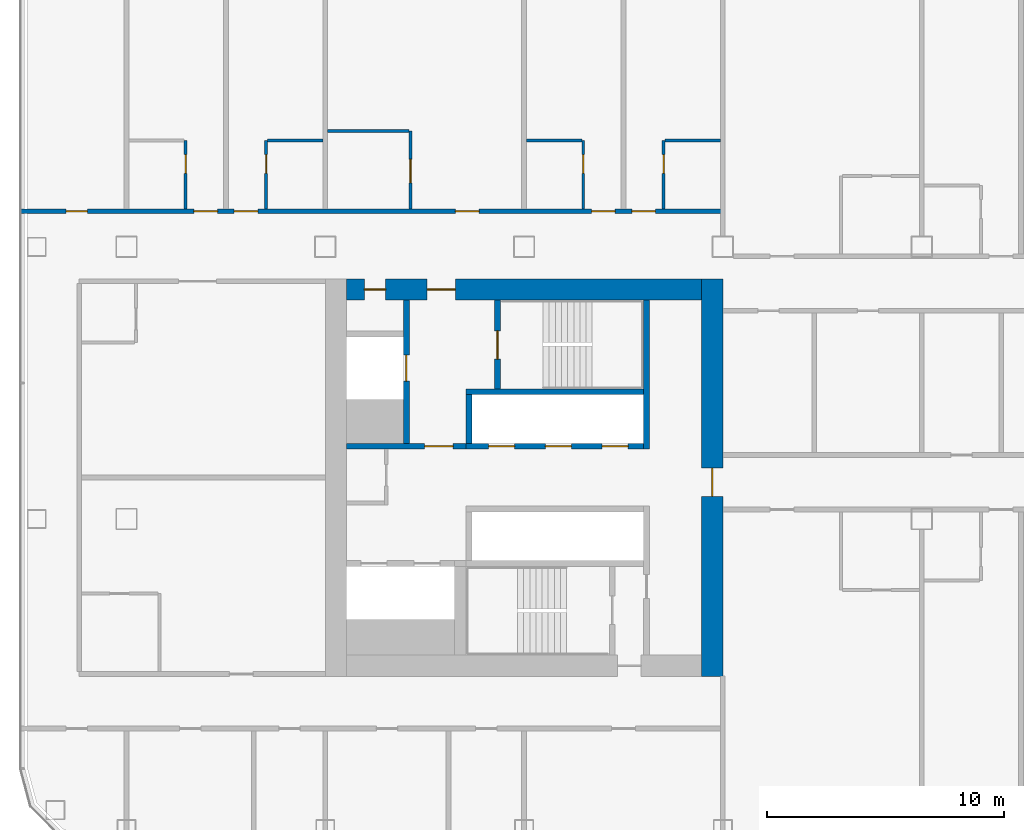
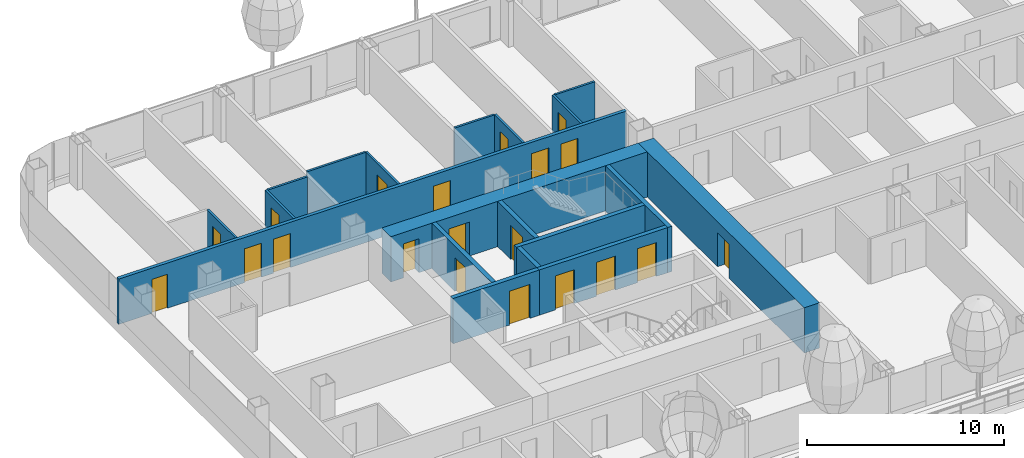
# One storey, part 12 of 33: 20 doors, 19 walls, 20 openings.
"""IFC4 building model written with IfcOpenShell, lengths in metres."""

import ifcopenshell
import ifcopenshell.guid

model = None  # the IFC model being written
_history = None  # IfcOwnerHistory: only IFC2X3 demands one
_inside = {}  # id of a spatial element -> (the spatial element, [elements in it])
_under = {}  # id of a project, library or spatial element -> (it, [spatial elements below it])
_declared = {}  # id of a project -> (the project, [libraries it declares])
_typed = {}  # id of a type object -> (the type object, [elements of that type])
_made_of = {}  # id of a material, layer set ... -> (it, [elements and type objects made of it])


def new_model(schema):
    """Start an empty IFC model of exactly this schema.

    Asked for "IFC4X3", IfcOpenShell would pick the latest addendum, in which some entities
    have other attributes; the version numbers below select the first issue.
    IFC2X3 requires an IfcOwnerHistory on every rooted entity: one is made here for all.
    """
    global model, _history
    if schema == "IFC4X3":
        model = ifcopenshell.file(schema_version=(4, 3, 0, 0))
    else:
        model = ifcopenshell.file(schema=schema)
    _inside.clear()
    _under.clear()
    _declared.clear()
    _typed.clear()
    _made_of.clear()
    _history = None
    if model.schema == "IFC2X3":
        org = make("IfcOrganization", Name="unknown")
        user = make(
            "IfcPersonAndOrganization",
            ThePerson=make("IfcPerson", FamilyName="unknown"),
            TheOrganization=org,
        )
        app = make(
            "IfcApplication",
            ApplicationDeveloper=org,
            Version="unknown",
            ApplicationFullName="unknown",
            ApplicationIdentifier="unknown",
        )
        _history = make(
            "IfcOwnerHistory",
            OwningUser=user,
            OwningApplication=app,
            ChangeAction="ADDED",
            CreationDate=0,
        )
    return model


def make(cls, **values):
    """One entity of the class cls with the attributes given. An attribute that is None is left unset."""
    return model.create_entity(
        cls, **{name: value for name, value in values.items() if value is not None}
    )


def rooted(cls, **values):
    """An entity with a GlobalId (a new one), such as an element, a storey or a relation."""
    return make(cls, GlobalId=ifcopenshell.guid.new(), OwnerHistory=_history, **values)


def si_unit(unit_type, name, prefix=None):
    """IfcSIUnit, for example si_unit("LENGTHUNIT", "METRE", prefix="MILLI")."""
    return make("IfcSIUnit", UnitType=unit_type, Prefix=prefix, Name=name)


def assignment(units):
    """IfcUnitAssignment: the units of a project."""
    return None if units is None else make("IfcUnitAssignment", Units=units)


def point(xyz):
    """IfcCartesianPoint."""
    return None if xyz is None else make("IfcCartesianPoint", Coordinates=xyz)


def direction(xyz):
    """IfcDirection."""
    return None if xyz is None else make("IfcDirection", DirectionRatios=xyz)


def frame(location, z_axis=None, x_axis=None):
    """IfcAxis2Placement3D, a coordinate frame: its origin and axes. An axis left out is left unset."""
    return make(
        "IfcAxis2Placement3D",
        Location=point(location),
        Axis=direction(z_axis),
        RefDirection=direction(x_axis),
    )


def frame_2d(location, x_axis=None):
    """IfcAxis2Placement2D, a coordinate frame in the plane: its origin and x axis."""
    return make(
        "IfcAxis2Placement2D", Location=point(location), RefDirection=direction(x_axis)
    )


def origin():
    """The frame at (0, 0, 0) with its axes left unset."""
    return frame((0.0, 0.0, 0.0))


def place(relative_to, where):
    """IfcLocalPlacement: puts the frame where relative to a parent placement (None: the world)."""
    return make(
        "IfcLocalPlacement", PlacementRelTo=relative_to, RelativePlacement=where
    )


def context(
    kind, dimensions, precision=None, world=None, true_north=None, identifier=None
):
    """IfcGeometricRepresentationContext, for example the 3D "Model" context."""
    return make(
        "IfcGeometricRepresentationContext",
        ContextIdentifier=identifier,
        ContextType=kind,
        CoordinateSpaceDimension=dimensions,
        Precision=precision,
        WorldCoordinateSystem=world,
        TrueNorth=true_north,
    )


def subcontext(parent, identifier, kind, view, scale=None):
    """IfcGeometricRepresentationSubContext, for example "Body" below "Model"."""
    return make(
        "IfcGeometricRepresentationSubContext",
        ContextIdentifier=identifier,
        ContextType=kind,
        ParentContext=parent,
        TargetScale=scale,
        TargetView=view,
    )


def project(units=None, contexts=None):
    """IfcProject with its units and contexts."""
    return rooted(
        "IfcProject",
        Name="project",
        RepresentationContexts=contexts,
        UnitsInContext=assignment(units),
    )


def spatial(cls, under=None, at=None, **own):
    """A site, building, storey or space (cls), placed at a placement, below another one or the project."""
    s = rooted(cls, ObjectPlacement=at, **own)
    if under is not None:
        _under.setdefault(under.id(), (under, []))[1].append(s)
    return s


def profile(cls, at=None, kind="AREA", **sizes):
    """A parametric profile (cls). Its sizes go by their IFC names, for example OverallWidth=200.0."""
    return make(cls, ProfileType=kind, Position=at, **sizes)


def rectangle(**sizes):
    """IfcRectangleProfileDef."""
    return profile("IfcRectangleProfileDef", **sizes)


def extrude(swept, where, along, depth):
    """IfcExtrudedAreaSolid: the profile swept, set in the frame where, extruded along a direction by depth."""
    return make(
        "IfcExtrudedAreaSolid",
        SweptArea=swept,
        Position=where,
        ExtrudedDirection=direction(along),
        Depth=depth,
    )


def shape(context_of_items, identifier, shape_type, items):
    """IfcShapeRepresentation: the items that make up one representation, for example the "Body"."""
    return make(
        "IfcShapeRepresentation",
        ContextOfItems=context_of_items,
        RepresentationIdentifier=identifier,
        RepresentationType=shape_type,
        Items=items,
    )


def material(Name=None, Category=None):
    """IfcMaterial."""
    return make("IfcMaterial", Name=Name, Category=Category)


def layer(
    of_material, thickness, ventilated=None, Name=None, Category=None, Priority=None
):
    """IfcMaterialLayer: one layer of a wall or slab, of a material (None: an air gap)."""
    return make(
        "IfcMaterialLayer",
        Material=of_material,
        LayerThickness=thickness,
        IsVentilated=ventilated,
        Name=Name,
        Category=Category,
        Priority=Priority,
    )


def layer_set(layers, Name=None):
    """IfcMaterialLayerSet."""
    return make("IfcMaterialLayerSet", MaterialLayers=layers, LayerSetName=Name)


def made_of(thing, what):
    """Note that an element or type object is made of a material, layer set ...; save() writes the relation."""
    if what is not None:
        _made_of.setdefault(what.id(), (what, []))[1].append(thing)
    return thing


def type_object(cls, material=None, **own):
    """A type object (cls), such as IfcWallType, which elements share."""
    return made_of(rooted(cls, **own), material)


def element(
    cls,
    number,
    at=None,
    inside=None,
    cuts=None,
    type_object=None,
    material=None,
    context=None,
    identifier="Body",
    shape_type=None,
    held_by="IfcProductDefinitionShape",
    body=None,
    shapes=None,
    **own,
):
    """One element of the class cls, such as IfcWall. Its Tag is "e" and its number.

    at: its placement. inside: the storey or other place that contains it. cuts: it is an
    opening in that element (IfcRelVoidsElement). A single representation is given by context,
    identifier, shape_type and body (its items); several are given by shapes. held_by: the class
    of the entity that holds the representations. save() writes the other relations.
    """
    e = rooted(cls, Tag="e%d" % number, ObjectPlacement=at, **own)
    if body is not None:
        shapes = [shape(context, identifier, shape_type, body)]
    if shapes is not None:
        e.Representation = make(held_by, Representations=shapes)
    if inside is not None:
        _inside.setdefault(inside.id(), (inside, []))[1].append(e)
    if cuts is not None:
        rooted(
            "IfcRelVoidsElement", RelatingBuildingElement=cuts, RelatedOpeningElement=e
        )
    if type_object is not None:
        _typed.setdefault(type_object.id(), (type_object, []))[1].append(e)
    return made_of(e, material)


def fill(opening, filler):
    """IfcRelFillsElement: the door or window that sits in an opening."""
    return rooted(
        "IfcRelFillsElement",
        RelatingOpeningElement=opening,
        RelatedBuildingElement=filler,
    )


def aggregate(whole, parts):
    """IfcRelAggregates: a whole, such as a stair, and the parts it consists of."""
    return rooted("IfcRelAggregates", RelatingObject=whole, RelatedObjects=parts)


def save(model, path):
    """Write the relations noted so far, then the file.

    IfcRelAggregates (storeys below a building ...), IfcRelContainedInSpatialStructure (elements
    in a storey), IfcRelDefinesByType, IfcRelAssociatesMaterial and IfcRelDeclares: one each for
    every whole, place, type object, material and project.
    """
    for whole, parts in _under.values():
        aggregate(whole, parts)
    for where, things in _inside.values():
        rooted(
            "IfcRelContainedInSpatialStructure",
            RelatedElements=things,
            RelatingStructure=where,
        )
    for kind, things in _typed.values():
        rooted("IfcRelDefinesByType", RelatedObjects=things, RelatingType=kind)
    for what, things in _made_of.values():
        rooted("IfcRelAssociatesMaterial", RelatedObjects=things, RelatingMaterial=what)
    for by, libraries in _declared.values():
        rooted("IfcRelDeclares", RelatingContext=by, RelatedDefinitions=libraries)
    model.write(path)


model = new_model("IFC4")

# Units and contexts
model_context = context("Model", 3, precision=1e-05, world=origin(), true_north=direction((0.0, 1.0)))
body_context = subcontext(model_context, "Body", "Model", "MODEL_VIEW")
ifc_project = project(units=[si_unit("LENGTHUNIT", "METRE"), si_unit("AREAUNIT", "SQUARE_METRE"), si_unit("VOLUMEUNIT", "CUBIC_METRE"), si_unit("PLANEANGLEUNIT", "RADIAN"), si_unit("MASSUNIT", "GRAM", prefix="KILO")], contexts=[model_context])

# Site, building, storey
site_placement = place(None, origin())
site = spatial("IfcSite", under=ifc_project, at=site_placement, CompositionType="ELEMENT")
building_placement = place(site_placement, origin())
building = spatial("IfcBuilding", under=site, at=building_placement, Name="Hakoniwa Tower and Hamabe Station Hall", CompositionType="ELEMENT")
storey_placement = place(building_placement, frame((0.0, 0.0, 81.800048828125)))
storey = spatial("IfcBuildingStorey", under=building, at=storey_placement, Name="L22", CompositionType="ELEMENT", Elevation=81.800048828125)

# Walls
ifc_material_1 = material(Name="Gypsum board partition", Category="gypsum")
ifc_layer_1 = layer(ifc_material_1, 0.125)
ifc_layer_set_1 = layer_set([ifc_layer_1], Name="Bathroom Partition 125")
wall_type_1 = type_object("IfcWallType", Name="Bathroom Partition 125", PredefinedType="PARTITIONING", material=ifc_layer_set_1)
for number, where, z_axis, x_axis, name in (
    (1, (-36.03759765625, 14.25, 0.0), (0.0, 0.0, 1.0), (1.0, 0.0, 0.0), "GW-L22-028"),
    (2, (-25.10009765625, 14.25, 0.0), (0.0, 0.0, 1.0), (1.0, 0.0, 0.0), "GW-L22-029"),
    (3, (-19.237548828125, 14.25, 0.0), (0.0, 0.0, 1.0), (1.0, 0.0, 0.0), "GW-L22-030"),
):
    element("IfcWall", number, at=place(storey_placement, frame(where, z_axis=z_axis, x_axis=x_axis)), inside=storey, type_object=wall_type_1, Name=name, PredefinedType="PARTITIONING", context=body_context, shape_type="SweptSolid", body=[
        extrude(rectangle(XDim=2.337646484375, YDim=0.125, at=frame_2d((1.1689453125, 0.0))), origin(), (0.0, 0.0, 1.0), 2.800048828125),
    ])
wall_1_placement = place(storey_placement, frame((-33.5, 14.64990234375, 0.0), z_axis=(0.0, 0.0, 1.0), x_axis=(1.0, 0.0, 0.0)))
element("IfcWall", 4, at=wall_1_placement, inside=storey, type_object=wall_type_1, Name="GW-L22-033", PredefinedType="PARTITIONING", context=body_context, shape_type="SweptSolid", body=[
    extrude(rectangle(XDim=3.4375, YDim=0.125, at=frame_2d((1.71875, 0.0))), origin(), (0.0, 0.0, 1.0), 2.800048828125),
])

# Wall, opening, door
wall_2_placement = place(storey_placement, frame((-39.5, 11.35009765625, 0.0), z_axis=(0.0, 0.0, 1.0), x_axis=(0.0, 1.0, 0.0)))
wall_2 = element("IfcWall", 5, at=wall_2_placement, inside=storey, type_object=wall_type_1, Name="GW-L22-041", PredefinedType="PARTITIONING", context=body_context, shape_type="SweptSolid", body=[
    extrude(rectangle(XDim=2.89990234375, YDim=0.125, at=frame_2d((1.449951171875, 0.0))), origin(), (0.0, 0.0, 1.0), 2.800048828125),
])
opening_1_placement = place(wall_2_placement, frame((1.5, 0.0, 0.0)))
opening_1 = element("IfcOpeningElement", 6, at=opening_1_placement, cuts=wall_2, Name="Opening GD-G2C0-56", PredefinedType="OPENING", context=body_context, shape_type="SweptSolid", body=[
    extrude(rectangle(XDim=0.800048828125, YDim=2.10009765625, at=frame_2d((0.39990234375, 1.050048828125))), frame((0.0, 0.072509765625, 0.0), z_axis=(0.0, -1.0, 0.0), x_axis=(1.0, 0.0, 0.0)), (0.0, 0.0, 1.0), 0.14501953125),
])
ifc_material_2 = material(Name="Timber door leaf", Category="wood")
door_type_1 = type_object("IfcDoorType", Name="Bathroom Door 800", OperationType="SINGLE_SWING_LEFT", PredefinedType="DOOR", material=ifc_material_2)
door_1_placement = place(opening_1_placement, origin())
door_1 = element("IfcDoor", 7, at=door_1_placement, inside=storey, type_object=door_type_1, Name="Door GD-G2C0-56", OperationType="SINGLE_SWING_LEFT", OverallHeight=2.10009765625, OverallWidth=0.800048828125, PredefinedType="DOOR", context=body_context, shape_type="SweptSolid", body=[
    extrude(rectangle(XDim=0.800048828125, YDim=2.10009765625, at=frame_2d((0.39990234375, 1.050048828125))), frame((0.0, 0.02490234375, 0.0), z_axis=(0.0, -1.0, 0.0), x_axis=(1.0, 0.0, 0.0)), (0.0, 0.0, 1.0), 0.050048828125),
])
fill(opening_1, door_1)

wall_3_placement = place(storey_placement, frame((-36.10009765625, 11.35009765625, 0.0), z_axis=(0.0, 0.0, 1.0), x_axis=(0.0, 1.0, 0.0)))
wall_3 = element("IfcWall", 8, at=wall_3_placement, inside=storey, type_object=wall_type_1, Name="GW-L22-044", PredefinedType="PARTITIONING", context=body_context, shape_type="SweptSolid", body=[
    extrude(rectangle(XDim=2.89990234375, YDim=0.125, at=frame_2d((1.449951171875, 0.0))), origin(), (0.0, 0.0, 1.0), 2.800048828125),
])
opening_2_placement = place(wall_3_placement, frame((1.5, 0.0, 0.0)))
opening_2 = element("IfcOpeningElement", 9, at=opening_2_placement, cuts=wall_3, Name="Opening GD-G2C0-57", PredefinedType="OPENING", context=body_context, shape_type="SweptSolid", body=[
    extrude(rectangle(XDim=0.800048828125, YDim=2.10009765625, at=frame_2d((0.39990234375, 1.050048828125))), frame((0.0, 0.072509765625, 0.0), z_axis=(0.0, -1.0, 0.0), x_axis=(1.0, 0.0, 0.0)), (0.0, 0.0, 1.0), 0.14501953125),
])
door_2_placement = place(opening_2_placement, origin())
door_2 = element("IfcDoor", 10, at=door_2_placement, inside=storey, type_object=door_type_1, Name="Door GD-G2C0-57", OperationType="SINGLE_SWING_RIGHT", OverallHeight=2.10009765625, OverallWidth=0.800048828125, PredefinedType="DOOR", context=body_context, shape_type="SweptSolid", body=[
    extrude(rectangle(XDim=0.800048828125, YDim=2.10009765625, at=frame_2d((0.39990234375, 1.050048828125))), frame((0.0, 0.02490234375, 0.0), z_axis=(0.0, -1.0, 0.0), x_axis=(1.0, 0.0, 0.0)), (0.0, 0.0, 1.0), 0.050048828125),
])
fill(opening_2, door_2)

wall_4_placement = place(storey_placement, frame((-30.0, 11.35009765625, 0.0), z_axis=(0.0, 0.0, 1.0), x_axis=(0.0, 1.0, 0.0)))
wall_4 = element("IfcWall", 11, at=wall_4_placement, inside=storey, type_object=wall_type_1, Name="GW-L22-047", PredefinedType="PARTITIONING", context=body_context, shape_type="SweptSolid", body=[
    extrude(rectangle(XDim=3.2998046875, YDim=0.125, at=frame_2d((1.64990234375, 0.0))), origin(), (0.0, 0.0, 1.0), 2.800048828125),
])
opening_3_placement = place(wall_4_placement, frame((1.10009765625, 0.0, 0.0)))
opening_3 = element("IfcOpeningElement", 12, at=opening_3_placement, cuts=wall_4, Name="Opening GD-G2C0-58", PredefinedType="OPENING", context=body_context, shape_type="SweptSolid", body=[
    extrude(rectangle(XDim=1.0, YDim=2.10009765625, at=frame_2d((0.5, 1.050048828125))), frame((0.0, 0.072509765625, 0.0), z_axis=(0.0, -1.0, 0.0), x_axis=(1.0, 0.0, 0.0)), (0.0, 0.0, 1.0), 0.14501953125),
])
ifc_material_3 = material(Name="Timber door leaf", Category="wood")
door_type_2 = type_object("IfcDoorType", Name="Accessible Bathroom Door 1000", OperationType="SINGLE_SWING_LEFT", PredefinedType="DOOR", material=ifc_material_3)
door_3_placement = place(opening_3_placement, origin())
door_3 = element("IfcDoor", 13, at=door_3_placement, inside=storey, type_object=door_type_2, Name="Door GD-G2C0-58", OperationType="SINGLE_SWING_LEFT", OverallHeight=2.10009765625, OverallWidth=1.0, PredefinedType="DOOR", context=body_context, shape_type="SweptSolid", body=[
    extrude(rectangle(XDim=1.0, YDim=2.10009765625, at=frame_2d((0.5, 1.050048828125))), frame((0.0, 0.02490234375, 0.0), z_axis=(0.0, -1.0, 0.0), x_axis=(1.0, 0.0, 0.0)), (0.0, 0.0, 1.0), 0.050048828125),
])
fill(opening_3, door_3)

wall_5_placement = place(storey_placement, frame((-22.699951171875, 11.35009765625, 0.0), z_axis=(0.0, 0.0, 1.0), x_axis=(0.0, 1.0, 0.0)))
wall_5 = element("IfcWall", 14, at=wall_5_placement, inside=storey, type_object=wall_type_1, Name="GW-L22-051", PredefinedType="PARTITIONING", context=body_context, shape_type="SweptSolid", body=[
    extrude(rectangle(XDim=2.89990234375, YDim=0.125, at=frame_2d((1.449951171875, 0.0))), origin(), (0.0, 0.0, 1.0), 2.800048828125),
])
opening_4_placement = place(wall_5_placement, frame((1.5, 0.0, 0.0)))
opening_4 = element("IfcOpeningElement", 15, at=opening_4_placement, cuts=wall_5, Name="Opening GD-G2C0-59", PredefinedType="OPENING", context=body_context, shape_type="SweptSolid", body=[
    extrude(rectangle(XDim=0.800048828125, YDim=2.10009765625, at=frame_2d((0.39990234375, 1.050048828125))), frame((0.0, 0.072509765625, 0.0), z_axis=(0.0, -1.0, 0.0), x_axis=(1.0, 0.0, 0.0)), (0.0, 0.0, 1.0), 0.14501953125),
])
door_4_placement = place(opening_4_placement, origin())
door_4 = element("IfcDoor", 16, at=door_4_placement, inside=storey, type_object=door_type_1, Name="Door GD-G2C0-59", OperationType="SINGLE_SWING_LEFT", OverallHeight=2.10009765625, OverallWidth=0.800048828125, PredefinedType="DOOR", context=body_context, shape_type="SweptSolid", body=[
    extrude(rectangle(XDim=0.800048828125, YDim=2.10009765625, at=frame_2d((0.39990234375, 1.050048828125))), frame((0.0, 0.02490234375, 0.0), z_axis=(0.0, -1.0, 0.0), x_axis=(1.0, 0.0, 0.0)), (0.0, 0.0, 1.0), 0.050048828125),
])
fill(opening_4, door_4)

wall_6_placement = place(storey_placement, frame((-19.300048828125, 11.35009765625, 0.0), z_axis=(0.0, 0.0, 1.0), x_axis=(0.0, 1.0, 0.0)))
wall_6 = element("IfcWall", 17, at=wall_6_placement, inside=storey, type_object=wall_type_1, Name="GW-L22-053", PredefinedType="PARTITIONING", context=body_context, shape_type="SweptSolid", body=[
    extrude(rectangle(XDim=2.89990234375, YDim=0.125, at=frame_2d((1.449951171875, 0.0))), origin(), (0.0, 0.0, 1.0), 2.800048828125),
])
opening_5_placement = place(wall_6_placement, frame((1.5, 0.0, 0.0)))
opening_5 = element("IfcOpeningElement", 18, at=opening_5_placement, cuts=wall_6, Name="Opening GD-G2C0-60", PredefinedType="OPENING", context=body_context, shape_type="SweptSolid", body=[
    extrude(rectangle(XDim=0.800048828125, YDim=2.10009765625, at=frame_2d((0.39990234375, 1.050048828125))), frame((0.0, 0.072509765625, 0.0), z_axis=(0.0, -1.0, 0.0), x_axis=(1.0, 0.0, 0.0)), (0.0, 0.0, 1.0), 0.14501953125),
])
door_5_placement = place(opening_5_placement, origin())
door_5 = element("IfcDoor", 19, at=door_5_placement, inside=storey, type_object=door_type_1, Name="Door GD-G2C0-60", OperationType="SINGLE_SWING_RIGHT", OverallHeight=2.10009765625, OverallWidth=0.800048828125, PredefinedType="DOOR", context=body_context, shape_type="SweptSolid", body=[
    extrude(rectangle(XDim=0.800048828125, YDim=2.10009765625, at=frame_2d((0.39990234375, 1.050048828125))), frame((0.0, 0.02490234375, 0.0), z_axis=(0.0, -1.0, 0.0), x_axis=(1.0, 0.0, 0.0)), (0.0, 0.0, 1.0), 0.050048828125),
])
fill(opening_5, door_5)

ifc_material_4 = material(Name="Concrete C72", Category="concrete")
ifc_layer_2 = layer(ifc_material_4, 0.89990234375)
ifc_layer_set_2 = layer_set([ifc_layer_2], Name="CORE WALL 900 C72")
wall_type_2 = type_object("IfcWallType", Name="CORE WALL 900 C72", PredefinedType="SHEAR", material=ifc_layer_set_2)
wall_7_placement = place(storey_placement, frame((-17.25, -8.39990234375, 0.0), z_axis=(0.0, 0.0, 1.0), x_axis=(0.0, 1.0, 0.0)))
wall_7 = element("IfcWall", 20, at=wall_7_placement, inside=storey, type_object=wall_type_2, Name="Core wall INNER west", PredefinedType="SHEAR", context=body_context, shape_type="SweptSolid", body=[
    extrude(rectangle(XDim=16.7998046875, YDim=0.89990234375, at=frame_2d((8.39990234375, 0.0))), origin(), (0.0, 0.0, 1.0), 2.800048828125),
])
opening_6_placement = place(wall_7_placement, frame((7.60009765625, 0.0, 0.0)))
opening_6 = element("IfcOpeningElement", 21, at=opening_6_placement, cuts=wall_7, Name="Opening CD-W-IN1-12", PredefinedType="OPENING", context=body_context, shape_type="SweptSolid", body=[
    extrude(rectangle(XDim=1.199951171875, YDim=2.10009765625, at=frame_2d((0.60009765625, 1.050048828125))), frame((0.0, 0.4599609375, 0.0), z_axis=(0.0, -1.0, 0.0), x_axis=(1.0, 0.0, 0.0)), (0.0, 0.0, 1.0), 0.919921875),
])
ifc_material_5 = material(Name="Steel fire door", Category="steel")
door_type_3 = type_object("IfcDoorType", Name="CORE DOOR 1200 FD60", OperationType="DOUBLE_DOOR_SINGLE_SWING", PredefinedType="DOOR", material=ifc_material_5)
door_6_placement = place(opening_6_placement, origin())
door_6 = element("IfcDoor", 22, at=door_6_placement, inside=storey, type_object=door_type_3, Name="Lift lobby door", OperationType="DOUBLE_DOOR_SINGLE_SWING", OverallHeight=2.10009765625, OverallWidth=1.199951171875, PredefinedType="DOOR", context=body_context, shape_type="SweptSolid", body=[
    extrude(rectangle(XDim=1.199951171875, YDim=2.10009765625, at=frame_2d((0.60009765625, 1.050048828125))), frame((0.0, 0.02490234375, 0.0), z_axis=(0.0, -1.0, 0.0), x_axis=(1.0, 0.0, 0.0)), (0.0, 0.0, 1.0), 0.050048828125),
])
fill(opening_6, door_6)

# Wall, openings, doors
wall_8_placement = place(storey_placement, frame((-32.699951171875, 7.949951171875, 0.0), z_axis=(0.0, 0.0, 1.0), x_axis=(1.0, 0.0, 0.0)))
wall_8 = element("IfcWall", 23, at=wall_8_placement, inside=storey, type_object=wall_type_2, Name="Core wall NORTH west", PredefinedType="SHEAR", context=body_context, shape_type="SweptSolid", body=[
    extrude(rectangle(XDim=15.0, YDim=0.89990234375, at=frame_2d((7.5, 0.0))), origin(), (0.0, 0.0, 1.0), 2.800048828125),
])
opening_7_placement = place(wall_8_placement, frame((3.39990234375, 0.0, 0.0)))
opening_7 = element("IfcOpeningElement", 24, at=opening_7_placement, cuts=wall_8, Name="Opening CD-W-FN1-12", PredefinedType="OPENING", context=body_context, shape_type="SweptSolid", body=[
    extrude(rectangle(XDim=1.199951171875, YDim=2.10009765625, at=frame_2d((0.60009765625, 1.050048828125))), frame((0.0, 0.4599609375, 0.0), z_axis=(0.0, -1.0, 0.0), x_axis=(1.0, 0.0, 0.0)), (0.0, 0.0, 1.0), 0.919921875),
])
opening_8_placement = place(wall_8_placement, frame((0.75, 0.0, 0.0)))
opening_8 = element("IfcOpeningElement", 25, at=opening_8_placement, cuts=wall_8, Name="Opening CD-W-FN2-9", PredefinedType="OPENING", context=body_context, shape_type="SweptSolid", body=[
    extrude(rectangle(XDim=0.89990234375, YDim=2.10009765625, at=frame_2d((0.449951171875, 1.050048828125))), frame((0.0, 0.4599609375, 0.0), z_axis=(0.0, -1.0, 0.0), x_axis=(1.0, 0.0, 0.0)), (0.0, 0.0, 1.0), 0.919921875),
])
door_7_placement = place(opening_7_placement, origin())
door_7 = element("IfcDoor", 26, at=door_7_placement, inside=storey, type_object=door_type_3, Name="Stair vestibule door to the fire-fighting lobby", OperationType="DOUBLE_DOOR_SINGLE_SWING", OverallHeight=2.10009765625, OverallWidth=1.199951171875, PredefinedType="DOOR", context=body_context, shape_type="SweptSolid", body=[
    extrude(rectangle(XDim=1.199951171875, YDim=2.10009765625, at=frame_2d((0.60009765625, 1.050048828125))), frame((0.0, 0.02490234375, 0.0), z_axis=(0.0, -1.0, 0.0), x_axis=(1.0, 0.0, 0.0)), (0.0, 0.0, 1.0), 0.050048828125),
])
fill(opening_7, door_7)
ifc_material_6 = material(Name="Steel fire door", Category="steel")
door_type_4 = type_object("IfcDoorType", Name="CORE DOOR 900 FD30", OperationType="NOTDEFINED", PredefinedType="DOOR", material=ifc_material_6)
door_8_placement = place(opening_8_placement, origin())
door_8 = element("IfcDoor", 27, at=door_8_placement, inside=storey, type_object=door_type_4, Name="Riser access door", OperationType="SINGLE_SWING_LEFT", OverallHeight=2.10009765625, OverallWidth=0.89990234375, PredefinedType="DOOR", context=body_context, shape_type="SweptSolid", body=[
    extrude(rectangle(XDim=0.89990234375, YDim=2.10009765625, at=frame_2d((0.449951171875, 1.050048828125))), frame((0.0, 0.02490234375, 0.0), z_axis=(0.0, -1.0, 0.0), x_axis=(1.0, 0.0, 0.0)), (0.0, 0.0, 1.0), 0.050048828125),
])
fill(opening_8, door_8)

# Wall
ifc_material_7 = material(Name="Concrete C72", Category="concrete")
ifc_layer_3 = layer(ifc_material_7, 0.25)
ifc_layer_set_3 = layer_set([ifc_layer_3], Name="CORE WEB WALL 250 C72")
wall_type_3 = type_object("IfcWallType", Name="CORE WEB WALL 250 C72", PredefinedType="SHEAR", material=ifc_layer_set_3)
wall_9_placement = place(storey_placement, frame((-20.02490234375, 1.199951171875, 0.0), z_axis=(0.0, 0.0, 1.0), x_axis=(0.0, 1.0, 0.0)))
element("IfcWall", 28, at=wall_9_placement, inside=storey, type_object=wall_type_3, Name="Core wall W1N west", PredefinedType="SHEAR", context=body_context, shape_type="SweptSolid", body=[
    extrude(rectangle(XDim=6.300048828125, YDim=0.25, at=frame_2d((3.14990234375, 0.0))), origin(), (0.0, 0.0, 1.0), 2.800048828125),
])

# Wall, openings, doors
wall_10_placement = place(storey_placement, frame((-27.64990234375, 1.324951171875, 0.0), z_axis=(0.0, 0.0, 1.0), x_axis=(1.0, 0.0, 0.0)))
wall_10 = element("IfcWall", 29, at=wall_10_placement, inside=storey, type_object=wall_type_3, Name="Core wall NF west", PredefinedType="SHEAR", context=body_context, shape_type="SweptSolid", body=[
    extrude(rectangle(XDim=7.5, YDim=0.25, at=frame_2d((3.75, 0.0))), origin(), (0.0, 0.0, 1.0), 2.800048828125),
])
opening_9_placement = place(wall_10_placement, frame((5.75, 0.0, 0.0)))
opening_9 = element("IfcOpeningElement", 30, at=opening_9_placement, cuts=wall_10, Name="Opening LD-LR1", PredefinedType="OPENING", context=body_context, shape_type="SweptSolid", body=[
    extrude(rectangle(XDim=1.10009765625, YDim=2.10009765625, at=frame_2d((0.550048828125, 1.050048828125))), frame((0.0, 0.135009765625, 0.0), z_axis=(0.0, -1.0, 0.0), x_axis=(1.0, 0.0, 0.0)), (0.0, 0.0, 1.0), 0.27001953125),
])
opening_10_placement = place(wall_10_placement, frame((3.35009765625, 0.0, 0.0)))
opening_10 = element("IfcOpeningElement", 31, at=opening_10_placement, cuts=wall_10, Name="Opening LD-LR2", PredefinedType="OPENING", context=body_context, shape_type="SweptSolid", body=[
    extrude(rectangle(XDim=1.10009765625, YDim=2.10009765625, at=frame_2d((0.550048828125, 1.050048828125))), frame((0.0, 0.135009765625, 0.0), z_axis=(0.0, -1.0, 0.0), x_axis=(1.0, 0.0, 0.0)), (0.0, 0.0, 1.0), 0.27001953125),
])
opening_11_placement = place(wall_10_placement, frame((0.949951171875, 0.0, 0.0)))
opening_11 = element("IfcOpeningElement", 32, at=opening_11_placement, cuts=wall_10, Name="Opening LD-LR3", PredefinedType="OPENING", context=body_context, shape_type="SweptSolid", body=[
    extrude(rectangle(XDim=1.10009765625, YDim=2.10009765625, at=frame_2d((0.550048828125, 1.050048828125))), frame((0.0, 0.135009765625, 0.0), z_axis=(0.0, -1.0, 0.0), x_axis=(1.0, 0.0, 0.0)), (0.0, 0.0, 1.0), 0.27001953125),
])
ifc_material_8 = material(Name="Stainless steel SUS304", Category="steel")
door_type_5 = type_object("IfcDoorType", Name="LIFT LANDING DOOR 1100 FD60", OperationType="DOUBLE_DOOR_SLIDING", PredefinedType="DOOR", material=ifc_material_8)
door_9_placement = place(opening_9_placement, origin())
door_9 = element("IfcDoor", 33, at=door_9_placement, inside=storey, type_object=door_type_5, Name="Lift landing door LR1 L22", OperationType="DOUBLE_DOOR_SLIDING", OverallHeight=2.10009765625, OverallWidth=1.10009765625, PredefinedType="DOOR", context=body_context, shape_type="SweptSolid", body=[
    extrude(rectangle(XDim=1.10009765625, YDim=2.10009765625, at=frame_2d((0.550048828125, 1.050048828125))), frame((0.0, 0.02490234375, 0.0), z_axis=(0.0, -1.0, 0.0), x_axis=(1.0, 0.0, 0.0)), (0.0, 0.0, 1.0), 0.050048828125),
])
fill(opening_9, door_9)
door_10_placement = place(opening_10_placement, origin())
door_10 = element("IfcDoor", 34, at=door_10_placement, inside=storey, type_object=door_type_5, Name="Lift landing door LR2 L22", OperationType="DOUBLE_DOOR_SLIDING", OverallHeight=2.10009765625, OverallWidth=1.10009765625, PredefinedType="DOOR", context=body_context, shape_type="SweptSolid", body=[
    extrude(rectangle(XDim=1.10009765625, YDim=2.10009765625, at=frame_2d((0.550048828125, 1.050048828125))), frame((0.0, 0.02490234375, 0.0), z_axis=(0.0, -1.0, 0.0), x_axis=(1.0, 0.0, 0.0)), (0.0, 0.0, 1.0), 0.050048828125),
])
fill(opening_10, door_10)
door_11_placement = place(opening_11_placement, origin())
door_11 = element("IfcDoor", 35, at=door_11_placement, inside=storey, type_object=door_type_5, Name="Lift landing door LR3 L22", OperationType="DOUBLE_DOOR_SLIDING", OverallHeight=2.10009765625, OverallWidth=1.10009765625, PredefinedType="DOOR", context=body_context, shape_type="SweptSolid", body=[
    extrude(rectangle(XDim=1.10009765625, YDim=2.10009765625, at=frame_2d((0.550048828125, 1.050048828125))), frame((0.0, 0.02490234375, 0.0), z_axis=(0.0, -1.0, 0.0), x_axis=(1.0, 0.0, 0.0)), (0.0, 0.0, 1.0), 0.050048828125),
])
fill(opening_11, door_11)

# Walls
wall_11_placement = place(storey_placement, frame((-27.52490234375, 1.449951171875, 0.0), z_axis=(0.0, 0.0, 1.0), x_axis=(0.0, 1.0, 0.0)))
element("IfcWall", 36, at=wall_11_placement, inside=storey, type_object=wall_type_3, Name="Core wall NE west", PredefinedType="SHEAR", context=body_context, shape_type="SweptSolid", body=[
    extrude(rectangle(XDim=2.050048828125, YDim=0.25, at=frame_2d((1.02490234375, 0.0))), origin(), (0.0, 0.0, 1.0), 2.800048828125),
])
wall_12_placement = place(storey_placement, frame((-27.64990234375, 3.625, 0.0), z_axis=(0.0, 0.0, 1.0), x_axis=(1.0, 0.0, 0.0)))
element("IfcWall", 37, at=wall_12_placement, inside=storey, type_object=wall_type_3, Name="Core wall NR west", PredefinedType="SHEAR", context=body_context, shape_type="SweptSolid", body=[
    extrude(rectangle(XDim=7.5, YDim=0.25, at=frame_2d((3.75, 0.0))), origin(), (0.0, 0.0, 1.0), 2.800048828125),
])

# Wall, opening, door
wall_13_placement = place(storey_placement, frame((-26.324951171875, 3.75, 0.0), z_axis=(0.0, 0.0, 1.0), x_axis=(0.0, 1.0, 0.0)))
wall_13 = element("IfcWall", 38, at=wall_13_placement, inside=storey, type_object=wall_type_3, Name="Core wall NSE west", PredefinedType="SHEAR", context=body_context, shape_type="SweptSolid", body=[
    extrude(rectangle(XDim=3.75, YDim=0.25, at=frame_2d((1.875, 0.0))), origin(), (0.0, 0.0, 1.0), 2.800048828125),
])
opening_12_placement = place(wall_13_placement, frame((1.25, 0.0, 0.0)))
opening_12 = element("IfcOpeningElement", 39, at=opening_12_placement, cuts=wall_13, Name="Opening CD-W-SN-12", PredefinedType="OPENING", context=body_context, shape_type="SweptSolid", body=[
    extrude(rectangle(XDim=1.199951171875, YDim=2.10009765625, at=frame_2d((0.60009765625, 1.050048828125))), frame((0.0, 0.135009765625, 0.0), z_axis=(0.0, -1.0, 0.0), x_axis=(1.0, 0.0, 0.0)), (0.0, 0.0, 1.0), 0.27001953125),
])
door_12_placement = place(opening_12_placement, origin())
door_12 = element("IfcDoor", 40, at=door_12_placement, inside=storey, type_object=door_type_3, Name="Escape stair door", OperationType="DOUBLE_DOOR_SINGLE_SWING", OverallHeight=2.10009765625, OverallWidth=1.199951171875, PredefinedType="DOOR", context=body_context, shape_type="SweptSolid", body=[
    extrude(rectangle(XDim=1.199951171875, YDim=2.10009765625, at=frame_2d((0.60009765625, 1.050048828125))), frame((0.0, 0.02490234375, 0.0), z_axis=(0.0, -1.0, 0.0), x_axis=(1.0, 0.0, 0.0)), (0.0, 0.0, 1.0), 0.050048828125),
])
fill(opening_12, door_12)

wall_14_placement = place(storey_placement, frame((-32.699951171875, 1.324951171875, 0.0), z_axis=(0.0, 0.0, 1.0), x_axis=(1.0, 0.0, 0.0)))
wall_14 = element("IfcWall", 41, at=wall_14_placement, inside=storey, type_object=wall_type_3, Name="Core wall ELN west", PredefinedType="SHEAR", context=body_context, shape_type="SweptSolid", body=[
    extrude(rectangle(XDim=5.050048828125, YDim=0.25, at=frame_2d((2.52490234375, 0.0))), origin(), (0.0, 0.0, 1.0), 2.800048828125),
])
opening_13_placement = place(wall_14_placement, frame((3.300048828125, 0.0, 0.0)))
opening_13 = element("IfcOpeningElement", 42, at=opening_13_placement, cuts=wall_14, Name="Opening CD-W-FL-12", PredefinedType="OPENING", context=body_context, shape_type="SweptSolid", body=[
    extrude(rectangle(XDim=1.199951171875, YDim=2.10009765625, at=frame_2d((0.60009765625, 1.050048828125))), frame((0.0, 0.135009765625, 0.0), z_axis=(0.0, -1.0, 0.0), x_axis=(1.0, 0.0, 0.0)), (0.0, 0.0, 1.0), 0.27001953125),
])
door_13_placement = place(opening_13_placement, origin())
door_13 = element("IfcDoor", 43, at=door_13_placement, inside=storey, type_object=door_type_3, Name="Stair vestibule door to the fire-fighting lobby", OperationType="DOUBLE_DOOR_SINGLE_SWING", OverallHeight=2.10009765625, OverallWidth=1.199951171875, PredefinedType="DOOR", context=body_context, shape_type="SweptSolid", body=[
    extrude(rectangle(XDim=1.199951171875, YDim=2.10009765625, at=frame_2d((0.60009765625, 1.050048828125))), frame((0.0, 0.02490234375, 0.0), z_axis=(0.0, -1.0, 0.0), x_axis=(1.0, 0.0, 0.0)), (0.0, 0.0, 1.0), 0.050048828125),
])
fill(opening_13, door_13)

wall_15_placement = place(storey_placement, frame((-30.175048828125, 1.449951171875, 0.0), z_axis=(0.0, 0.0, 1.0), x_axis=(0.0, 1.0, 0.0)))
wall_15 = element("IfcWall", 44, at=wall_15_placement, inside=storey, type_object=wall_type_3, Name="Core wall FFF west", PredefinedType="SHEAR", context=body_context, shape_type="SweptSolid", body=[
    extrude(rectangle(XDim=6.050048828125, YDim=0.25, at=frame_2d((3.02490234375, 0.0))), origin(), (0.0, 0.0, 1.0), 2.800048828125),
])
opening_14_placement = place(wall_15_placement, frame((2.625, 0.0, 0.0)))
opening_14 = element("IfcOpeningElement", 45, at=opening_14_placement, cuts=wall_15, Name="Opening LD-FF1", PredefinedType="OPENING", context=body_context, shape_type="SweptSolid", body=[
    extrude(rectangle(XDim=1.10009765625, YDim=2.10009765625, at=frame_2d((0.550048828125, 1.050048828125))), frame((0.0, 0.135009765625, 0.0), z_axis=(0.0, -1.0, 0.0), x_axis=(1.0, 0.0, 0.0)), (0.0, 0.0, 1.0), 0.27001953125),
])
door_14_placement = place(opening_14_placement, origin())
door_14 = element("IfcDoor", 46, at=door_14_placement, inside=storey, type_object=door_type_5, Name="Lift landing door FF1 L22", OperationType="DOUBLE_DOOR_SLIDING", OverallHeight=2.10009765625, OverallWidth=1.10009765625, PredefinedType="DOOR", context=body_context, shape_type="SweptSolid", body=[
    extrude(rectangle(XDim=1.10009765625, YDim=2.10009765625, at=frame_2d((0.550048828125, 1.050048828125))), frame((0.0, 0.02490234375, 0.0), z_axis=(0.0, -1.0, 0.0), x_axis=(1.0, 0.0, 0.0)), (0.0, 0.0, 1.0), 0.050048828125),
])
fill(opening_14, door_14)

# Wall, openings, doors
ifc_material_9 = material(Name="Fire-rated gypsum board partition", Category="gypsum")
ifc_layer_4 = layer(ifc_material_9, 0.199951171875)
ifc_layer_set_4 = layer_set([ifc_layer_4], Name="Corridor Wall 200")
wall_type_4 = type_object("IfcWallType", Name="Corridor Wall 200", PredefinedType="PARTITIONING", material=ifc_layer_set_4)
wall_16_placement = place(storey_placement, frame((-46.5, 11.25, 0.0), z_axis=(0.0, 0.0, 1.0), x_axis=(1.0, 0.0, 0.0)))
wall_16 = element("IfcWall", 47, at=wall_16_placement, inside=storey, type_object=wall_type_4, Name="GW-L22-022", PredefinedType="PARTITIONING", context=body_context, shape_type="SweptSolid", body=[
    extrude(rectangle(XDim=29.699951171875, YDim=0.199951171875, at=frame_2d((14.85009765625, 0.0))), origin(), (0.0, 0.0, 1.0), 2.800048828125),
])
opening_15_placement = place(wall_16_placement, frame((1.949951171875, 0.0, 0.0)))
opening_15 = element("IfcOpeningElement", 48, at=opening_15_placement, cuts=wall_16, Name="Opening GD-G2C0-41", PredefinedType="OPENING", context=body_context, shape_type="SweptSolid", body=[
    extrude(rectangle(XDim=0.89990234375, YDim=2.10009765625, at=frame_2d((0.449951171875, 1.050048828125))), frame((0.0, 0.10986328125, 0.0), z_axis=(0.0, -1.0, 0.0), x_axis=(1.0, 0.0, 0.0)), (0.0, 0.0, 1.0), 0.219970703125),
])
opening_16_placement = place(wall_16_placement, frame((7.35009765625, 0.0, 0.0)))
opening_16 = element("IfcOpeningElement", 49, at=opening_16_placement, cuts=wall_16, Name="Opening GD-G2C0-42", PredefinedType="OPENING", context=body_context, shape_type="SweptSolid", body=[
    extrude(rectangle(XDim=1.0, YDim=2.10009765625, at=frame_2d((0.5, 1.050048828125))), frame((0.0, 0.10986328125, 0.0), z_axis=(0.0, -1.0, 0.0), x_axis=(1.0, 0.0, 0.0)), (0.0, 0.0, 1.0), 0.219970703125),
])
opening_17_placement = place(wall_16_placement, frame((9.050048828125, 0.0, 0.0)))
opening_17 = element("IfcOpeningElement", 50, at=opening_17_placement, cuts=wall_16, Name="Opening GD-G2C0-43", PredefinedType="OPENING", context=body_context, shape_type="SweptSolid", body=[
    extrude(rectangle(XDim=1.0, YDim=2.10009765625, at=frame_2d((0.5, 1.050048828125))), frame((0.0, 0.10986328125, 0.0), z_axis=(0.0, -1.0, 0.0), x_axis=(1.0, 0.0, 0.0)), (0.0, 0.0, 1.0), 0.219970703125),
])
opening_18_placement = place(wall_16_placement, frame((18.39990234375, 0.0, 0.0)))
opening_18 = element("IfcOpeningElement", 51, at=opening_18_placement, cuts=wall_16, Name="Opening GD-G2C0-44", PredefinedType="OPENING", context=body_context, shape_type="SweptSolid", body=[
    extrude(rectangle(XDim=1.0, YDim=2.10009765625, at=frame_2d((0.5, 1.050048828125))), frame((0.0, 0.10986328125, 0.0), z_axis=(0.0, -1.0, 0.0), x_axis=(1.0, 0.0, 0.0)), (0.0, 0.0, 1.0), 0.219970703125),
])
opening_19_placement = place(wall_16_placement, frame((24.14990234375, 0.0, 0.0)))
opening_19 = element("IfcOpeningElement", 52, at=opening_19_placement, cuts=wall_16, Name="Opening GD-G2C0-45", PredefinedType="OPENING", context=body_context, shape_type="SweptSolid", body=[
    extrude(rectangle(XDim=1.0, YDim=2.10009765625, at=frame_2d((0.5, 1.050048828125))), frame((0.0, 0.10986328125, 0.0), z_axis=(0.0, -1.0, 0.0), x_axis=(1.0, 0.0, 0.0)), (0.0, 0.0, 1.0), 0.219970703125),
])
opening_20_placement = place(wall_16_placement, frame((25.85009765625, 0.0, 0.0)))
opening_20 = element("IfcOpeningElement", 53, at=opening_20_placement, cuts=wall_16, Name="Opening GD-G2C0-46", PredefinedType="OPENING", context=body_context, shape_type="SweptSolid", body=[
    extrude(rectangle(XDim=1.0, YDim=2.10009765625, at=frame_2d((0.5, 1.050048828125))), frame((0.0, 0.10986328125, 0.0), z_axis=(0.0, -1.0, 0.0), x_axis=(1.0, 0.0, 0.0)), (0.0, 0.0, 1.0), 0.219970703125),
])
ifc_material_10 = material(Name="Timber door leaf", Category="wood")
door_type_6 = type_object("IfcDoorType", Name="Accessible Guest Entrance Door 1000", OperationType="SINGLE_SWING_LEFT", PredefinedType="DOOR", material=ifc_material_10)
door_15_placement = place(opening_18_placement, origin())
door_15 = element("IfcDoor", 54, at=door_15_placement, inside=storey, type_object=door_type_6, Name="Door GD-G2C0-44", OperationType="SINGLE_SWING_RIGHT", OverallHeight=2.10009765625, OverallWidth=1.0, PredefinedType="DOOR", context=body_context, shape_type="SweptSolid", body=[
    extrude(rectangle(XDim=1.0, YDim=2.10009765625, at=frame_2d((0.5, 1.050048828125))), frame((0.0, 0.02490234375, 0.0), z_axis=(0.0, -1.0, 0.0), x_axis=(1.0, 0.0, 0.0)), (0.0, 0.0, 1.0), 0.050048828125),
])
fill(opening_18, door_15)
ifc_material_11 = material(Name="Timber door leaf", Category="wood")
door_type_7 = type_object("IfcDoorType", Name="Guest Entrance Door 1000", OperationType="SINGLE_SWING_LEFT", PredefinedType="DOOR", material=ifc_material_11)
door_16_placement = place(opening_16_placement, origin())
door_16 = element("IfcDoor", 55, at=door_16_placement, inside=storey, type_object=door_type_7, Name="Door GD-G2C0-42", OperationType="SINGLE_SWING_RIGHT", OverallHeight=2.10009765625, OverallWidth=1.0, PredefinedType="DOOR", context=body_context, shape_type="SweptSolid", body=[
    extrude(rectangle(XDim=1.0, YDim=2.10009765625, at=frame_2d((0.5, 1.050048828125))), frame((0.0, 0.02490234375, 0.0), z_axis=(0.0, -1.0, 0.0), x_axis=(1.0, 0.0, 0.0)), (0.0, 0.0, 1.0), 0.050048828125),
])
fill(opening_16, door_16)
door_17_placement = place(opening_17_placement, origin())
door_17 = element("IfcDoor", 56, at=door_17_placement, inside=storey, type_object=door_type_7, Name="Door GD-G2C0-43", OperationType="SINGLE_SWING_LEFT", OverallHeight=2.10009765625, OverallWidth=1.0, PredefinedType="DOOR", context=body_context, shape_type="SweptSolid", body=[
    extrude(rectangle(XDim=1.0, YDim=2.10009765625, at=frame_2d((0.5, 1.050048828125))), frame((0.0, 0.02490234375, 0.0), z_axis=(0.0, -1.0, 0.0), x_axis=(1.0, 0.0, 0.0)), (0.0, 0.0, 1.0), 0.050048828125),
])
fill(opening_17, door_17)
door_18_placement = place(opening_19_placement, origin())
door_18 = element("IfcDoor", 57, at=door_18_placement, inside=storey, type_object=door_type_7, Name="Door GD-G2C0-45", OperationType="SINGLE_SWING_LEFT", OverallHeight=2.10009765625, OverallWidth=1.0, PredefinedType="DOOR", context=body_context, shape_type="SweptSolid", body=[
    extrude(rectangle(XDim=1.0, YDim=2.10009765625, at=frame_2d((0.5, 1.050048828125))), frame((0.0, 0.02490234375, 0.0), z_axis=(0.0, -1.0, 0.0), x_axis=(1.0, 0.0, 0.0)), (0.0, 0.0, 1.0), 0.050048828125),
])
fill(opening_19, door_18)
door_19_placement = place(opening_20_placement, origin())
door_19 = element("IfcDoor", 58, at=door_19_placement, inside=storey, type_object=door_type_7, Name="Door GD-G2C0-46", OperationType="SINGLE_SWING_RIGHT", OverallHeight=2.10009765625, OverallWidth=1.0, PredefinedType="DOOR", context=body_context, shape_type="SweptSolid", body=[
    extrude(rectangle(XDim=1.0, YDim=2.10009765625, at=frame_2d((0.5, 1.050048828125))), frame((0.0, 0.02490234375, 0.0), z_axis=(0.0, -1.0, 0.0), x_axis=(1.0, 0.0, 0.0)), (0.0, 0.0, 1.0), 0.050048828125),
])
fill(opening_20, door_19)
ifc_material_12 = material(Name="Timber door leaf", Category="wood")
door_type_8 = type_object("IfcDoorType", Name="Service Door 900", OperationType="SINGLE_SWING_LEFT", PredefinedType="DOOR", material=ifc_material_12)
door_20_placement = place(opening_15_placement, origin())
door_20 = element("IfcDoor", 59, at=door_20_placement, inside=storey, type_object=door_type_8, Name="Door GD-G2C0-41", OperationType="SINGLE_SWING_LEFT", OverallHeight=2.10009765625, OverallWidth=0.89990234375, PredefinedType="DOOR", context=body_context, shape_type="SweptSolid", body=[
    extrude(rectangle(XDim=0.89990234375, YDim=2.10009765625, at=frame_2d((0.449951171875, 1.050048828125))), frame((0.0, 0.02490234375, 0.0), z_axis=(0.0, -1.0, 0.0), x_axis=(1.0, 0.0, 0.0)), (0.0, 0.0, 1.0), 0.050048828125),
])
fill(opening_15, door_20)

save(model, "model.ifc")
